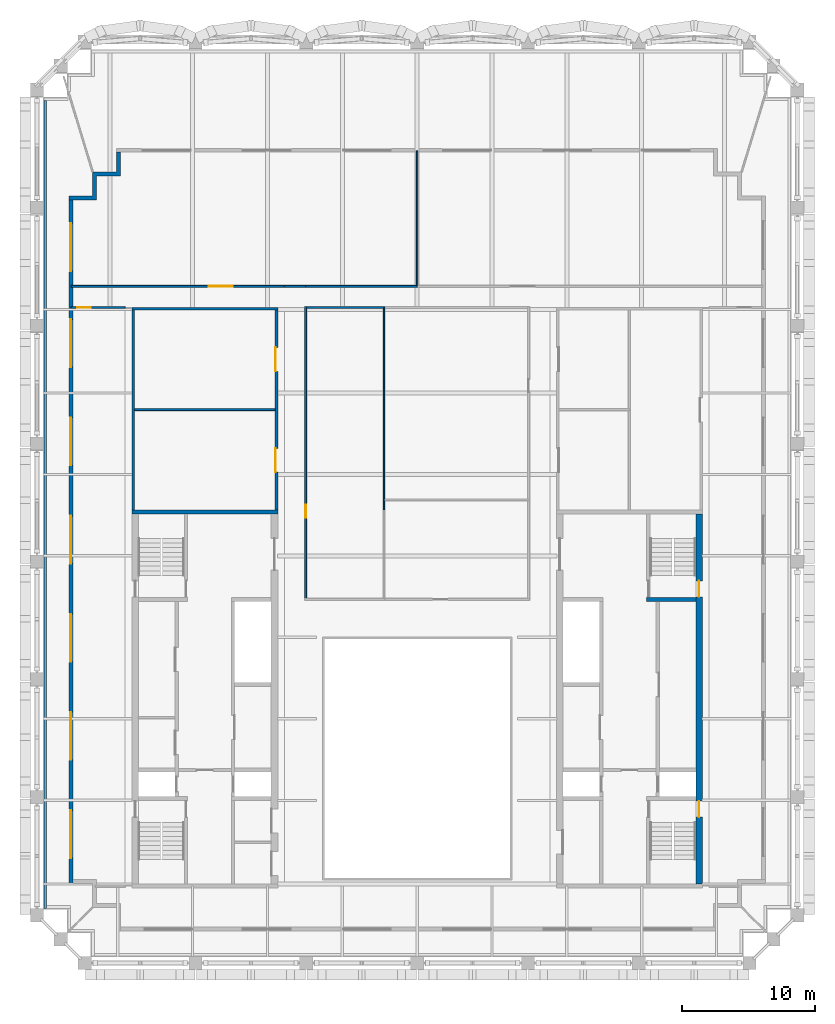
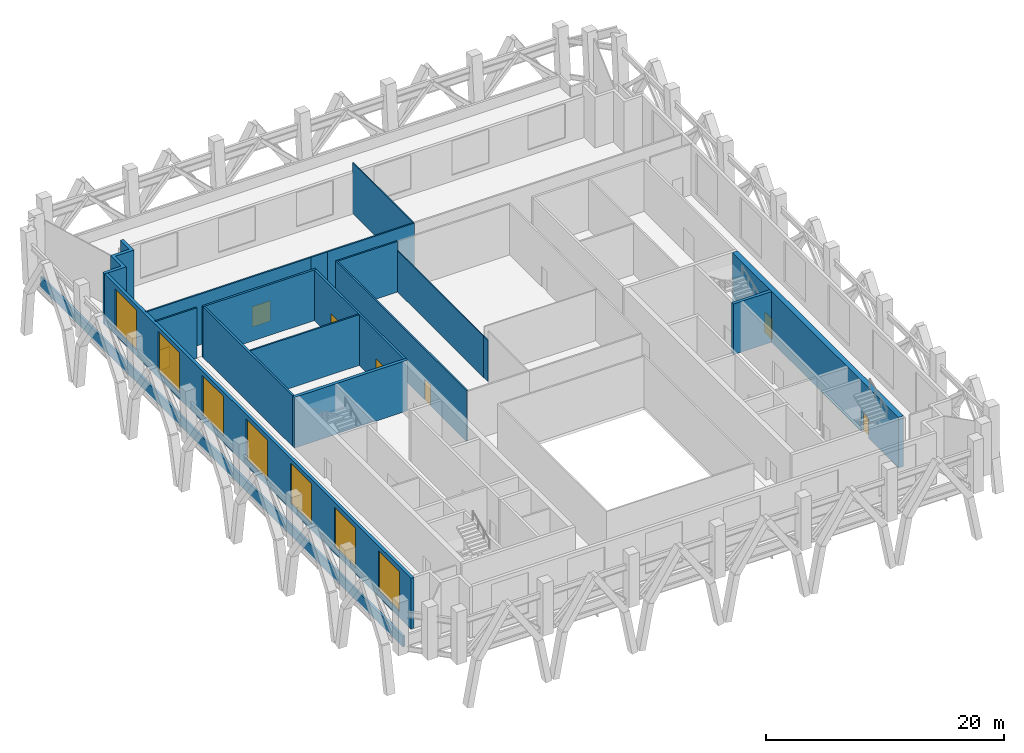
# One storey, part 6 of 13: 19 walls, 7 doors, 7 windows, 14 openings.
"""IFC4 building model written with IfcOpenShell, lengths in metres."""

from ifc_helpers import new_model, si_unit, direction, frame, frame_2d, origin, place, context, subcontext, project, spatial, polyline, rectangle, outline, extrude, material, layer, layer_set, type_object, element, fill, save


model = new_model("IFC4")

# Units and contexts
model_context = context("Model", 3, precision=1e-05, world=origin(), true_north=direction((0.0, 1.0)))
body_context = subcontext(model_context, "Body", "Model", "MODEL_VIEW")
ifc_project = project(units=[si_unit("LENGTHUNIT", "METRE"), si_unit("AREAUNIT", "SQUARE_METRE"), si_unit("VOLUMEUNIT", "CUBIC_METRE"), si_unit("PLANEANGLEUNIT", "RADIAN"), si_unit("MASSUNIT", "GRAM", prefix="KILO")], contexts=[model_context])

# Site, building, storey
site_placement = place(None, origin())
site = spatial("IfcSite", under=ifc_project, at=site_placement, CompositionType="ELEMENT")
building_placement = place(site_placement, origin())
building = spatial("IfcBuilding", under=site, at=building_placement, Name="Ogive Exchange Tower", CompositionType="ELEMENT")
storey_placement = place(building_placement, frame((0.0, 0.0, 363.60009765625)))
storey = spatial("IfcBuildingStorey", under=building, at=storey_placement, Name="L80", CompositionType="ELEMENT", Elevation=363.60009765625)

# Wall
ifc_material_1 = material(Name="Gypsum board partition")
ifc_layer_1 = layer(ifc_material_1, 0.14990234375)
ifc_layer_set_1 = layer_set([ifc_layer_1], Name="Core room partition 150 gypsum")
wall_type_1 = type_object("IfcWallType", Name="Core room partition 150 gypsum", PredefinedType="PARTITIONING", material=ifc_layer_set_1)
wall_1_placement = place(storey_placement, frame((-21.300048828125, 33.300048828125, 0.0), z_axis=(0.0, 0.0, 1.0), x_axis=(1.0, 0.0, 0.0)))
element("IfcWall", 1, at=wall_1_placement, inside=storey, type_object=wall_type_1, Name="W annex N cross wall", PredefinedType="PARTITIONING", context=body_context, shape_type="SweptSolid", body=[
    extrude(rectangle(XDim=10.60009765625, YDim=0.14990234375, at=frame_2d((5.300048828125, 0.0))), origin(), (0.0, 0.0, 1.0), 5.199951171875),
])

# Wall, opening, door
ifc_material_2 = material(Name="Fire partition EI 60 150")
ifc_layer_2 = layer(ifc_material_2, 0.14990234375)
ifc_layer_set_2 = layer_set([ifc_layer_2], Name="Fire partition EI 60 150")
wall_type_2 = type_object("IfcWallType", Name="Fire partition EI 60 150", PredefinedType="PARTITIONING", material=ifc_layer_set_2)
wall_2_placement = place(storey_placement, frame((-26.050048828125, 42.60009765625, 0.0), z_axis=(0.0, 0.0, 1.0), x_axis=(1.0, 0.0, 0.0)))
wall_2 = element("IfcWall", 2, at=wall_2_placement, inside=storey, type_object=wall_type_2, Name="L80-PWL-001", PredefinedType="PARTITIONING", context=body_context, shape_type="SweptSolid", body=[
    extrude(rectangle(XDim=16.050048828125, YDim=0.14990234375, at=frame_2d((8.02490234375, 0.0))), origin(), (0.0, 0.0, 1.0), 5.199951171875),
])
opening_1_placement = place(wall_2_placement, frame((10.35009765625, 0.0, 0.0)))
opening_1 = element("IfcOpeningElement", 3, at=opening_1_placement, cuts=wall_2, Name="Opening L80-I02", PredefinedType="OPENING", context=body_context, shape_type="SweptSolid", body=[
    extrude(rectangle(XDim=1.800048828125, YDim=2.10009765625, at=frame_2d((0.89990234375, 1.050048828125))), frame((0.0, 0.0849609375, 0.0), z_axis=(0.0, -1.0, 0.0), x_axis=(1.0, 0.0, 0.0)), (0.0, 0.0, 1.0), 0.169921875),
])
ifc_material_3 = material(Name="Fire door FD 30S 1800 x 2100")
door_type_1 = type_object("IfcDoorType", Name="Fire door FD 30S 1800 x 2100", OperationType="DOUBLE_DOOR_SINGLE_SWING", PredefinedType="DOOR", material=ifc_material_3)
door_1_placement = place(opening_1_placement, origin())
door_1 = element("IfcDoor", 4, at=door_1_placement, inside=storey, type_object=door_type_1, Name="L80-IDR-002", ObjectType="DT4", OperationType="SINGLE_SWING_RIGHT", OverallHeight=2.10009765625, OverallWidth=1.800048828125, PredefinedType="DOOR", context=body_context, shape_type="SweptSolid", body=[
    extrude(rectangle(XDim=1.800048828125, YDim=2.10009765625, at=frame_2d((0.89990234375, 1.050048828125))), frame((0.0, 0.02490234375, 0.0), z_axis=(0.0, -1.0, 0.0), x_axis=(1.0, 0.0, 0.0)), (0.0, 0.0, 1.0), 0.050048828125),
])
fill(opening_1, door_1)

wall_3_placement = place(storey_placement, frame((-22.0, 41.0, 0.0), z_axis=(0.0, 0.0, 1.0), x_axis=(-1.0, 0.0, 0.0)))
wall_3 = element("IfcWall", 5, at=wall_3_placement, inside=storey, type_object=wall_type_2, Name="L80-PWL-003", PredefinedType="PARTITIONING", context=body_context, shape_type="SweptSolid", body=[
    extrude(rectangle(XDim=4.050048828125, YDim=0.14990234375, at=frame_2d((2.02490234375, 0.0))), origin(), (0.0, 0.0, 1.0), 5.199951171875),
])
opening_2_placement = place(wall_3_placement, frame((2.60009765625, 0.0, 0.0)))
opening_2 = element("IfcOpeningElement", 6, at=opening_2_placement, cuts=wall_3, Name="Opening L80-I06", PredefinedType="OPENING", context=body_context, shape_type="SweptSolid", body=[
    extrude(rectangle(XDim=1.0, YDim=2.10009765625, at=frame_2d((0.5, 1.050048828125))), frame((0.0, 0.0849609375, 0.0), z_axis=(0.0, -1.0, 0.0), x_axis=(1.0, 0.0, 0.0)), (0.0, 0.0, 1.0), 0.169921875),
])
ifc_material_4 = material(Name="Fire door FD 30S 1000 x 2100")
door_type_2 = type_object("IfcDoorType", Name="Fire door FD 30S 1000 x 2100", OperationType="NOTDEFINED", PredefinedType="DOOR", material=ifc_material_4)
door_2_placement = place(opening_2_placement, origin())
door_2 = element("IfcDoor", 7, at=door_2_placement, inside=storey, type_object=door_type_2, Name="L80-IDR-006", ObjectType="DT3", OperationType="SINGLE_SWING_LEFT", OverallHeight=2.10009765625, OverallWidth=1.0, PredefinedType="DOOR", context=body_context, shape_type="SweptSolid", body=[
    extrude(rectangle(XDim=1.0, YDim=2.10009765625, at=frame_2d((0.5, 1.050048828125))), frame((0.0, 0.02490234375, 0.0), z_axis=(0.0, -1.0, 0.0), x_axis=(1.0, 0.0, 0.0)), (0.0, 0.0, 1.0), 0.050048828125),
])
fill(opening_2, door_2)

# Wall
wall_4_placement = place(storey_placement, frame((-10.0, 42.60009765625, 0.0), z_axis=(0.0, 0.0, 1.0), x_axis=(1.0, 0.0, 0.0)))
element("IfcWall", 8, at=wall_4_placement, inside=storey, type_object=wall_type_2, Name="L80-PWL-004", PredefinedType="PARTITIONING", context=body_context, shape_type="SweptSolid", body=[
    extrude(rectangle(XDim=1.60009765625, YDim=0.14990234375, at=frame_2d((0.800048828125, 0.0))), origin(), (0.0, 0.0, 1.0), 5.199951171875),
])

# Wall, opening, door
wall_5_placement = place(storey_placement, frame((-8.39990234375, 41.074951171875, 0.0), z_axis=(0.0, 0.0, 1.0), x_axis=(0.0, -1.0, 0.0)))
wall_5 = element("IfcWall", 9, at=wall_5_placement, inside=storey, type_object=wall_type_2, Name="L80-PWL-006", PredefinedType="PARTITIONING", context=body_context, shape_type="SweptSolid", body=[
    extrude(rectangle(XDim=22.0, YDim=0.14990234375, at=frame_2d((11.0, 0.0))), origin(), (0.0, 0.0, 1.0), 5.199951171875),
])
opening_3_placement = place(wall_5_placement, frame((14.925048828125, 0.0, 0.0)))
opening_3 = element("IfcOpeningElement", 10, at=opening_3_placement, cuts=wall_5, Name="Opening L80-I05", PredefinedType="OPENING", context=body_context, shape_type="SweptSolid", body=[
    extrude(rectangle(XDim=1.0, YDim=2.10009765625, at=frame_2d((0.5, 1.050048828125))), frame((0.0, 0.0849609375, 0.0), z_axis=(0.0, -1.0, 0.0), x_axis=(1.0, 0.0, 0.0)), (0.0, 0.0, 1.0), 0.169921875),
])
door_3_placement = place(opening_3_placement, origin())
door_3 = element("IfcDoor", 11, at=door_3_placement, inside=storey, type_object=door_type_2, Name="L80-IDR-005", ObjectType="DT3", OperationType="SINGLE_SWING_LEFT", OverallHeight=2.10009765625, OverallWidth=1.0, PredefinedType="DOOR", context=body_context, shape_type="SweptSolid", body=[
    extrude(rectangle(XDim=1.0, YDim=2.10009765625, at=frame_2d((0.5, 1.050048828125))), frame((0.0, 0.02490234375, 0.0), z_axis=(0.0, -1.0, 0.0), x_axis=(1.0, 0.0, 0.0)), (0.0, 0.0, 1.0), 0.050048828125),
])
fill(opening_3, door_3)

# Walls
wall_6_placement = place(storey_placement, frame((-8.39990234375, 42.60009765625, 0.0), z_axis=(0.0, 0.0, 1.0), x_axis=(1.0, 0.0, 0.0)))
element("IfcWall", 12, at=wall_6_placement, inside=storey, type_object=wall_type_2, Name="L80-PWL-007", PredefinedType="PARTITIONING", context=body_context, shape_type="SweptSolid", body=[
    extrude(rectangle(XDim=8.39990234375, YDim=0.14990234375, at=frame_2d((4.199951171875, 0.0))), origin(), (0.0, 0.0, 1.0), 5.199951171875),
])
wall_7_placement = place(storey_placement, frame((-2.550048828125, 41.0, 0.0), z_axis=(0.0, 0.0, 1.0), x_axis=(-1.0, 0.0, 0.0)))
element("IfcWall", 13, at=wall_7_placement, inside=storey, type_object=wall_type_2, Name="L80-PWL-012", PredefinedType="PARTITIONING", context=body_context, shape_type="SweptSolid", body=[
    extrude(rectangle(XDim=5.77490234375, YDim=0.14990234375, at=frame_2d((2.887451171875, 0.0))), origin(), (0.0, 0.0, 1.0), 5.199951171875),
])

# Wall, openings, windows
ifc_material_5 = material(Name="Precast concrete C40/50", Category="concrete")
ifc_layer_3 = layer(ifc_material_5, 0.300048828125)
ifc_layer_set_3 = layer_set([ifc_layer_3], Name="Limestone-faced wall 300")
wall_type_3 = type_object("IfcWallType", Name="Limestone-faced wall 300", PredefinedType="STANDARD", material=ifc_layer_set_3)
wall_8_placement = place(storey_placement, frame((-26.10009765625, 49.10009765625, 0.0), z_axis=(0.0, 0.0, 1.0), x_axis=(0.0, -1.0, 0.0)))
wall_8 = element("IfcWall", 14, at=wall_8_placement, inside=storey, type_object=wall_type_3, Name="External wall W4", PredefinedType="STANDARD", context=body_context, shape_type="SweptSolid", body=[
    extrude(rectangle(XDim=51.5, YDim=0.300048828125, at=frame_2d((25.75, 0.0))), origin(), (0.0, 0.0, 1.0), 5.199951171875),
])
opening_4_placement = place(wall_8_placement, frame((1.75, 0.0, 0.60009765625)))
opening_4 = element("IfcOpeningElement", 15, at=opening_4_placement, cuts=wall_8, Name="Opening LV1", PredefinedType="OPENING", context=body_context, shape_type="SweptSolid", body=[
    extrude(rectangle(XDim=3.60009765625, YDim=4.14990234375, at=frame_2d((1.800048828125, 2.074951171875))), frame((0.0, 0.159912109375, 0.0), z_axis=(0.0, -1.0, 0.0), x_axis=(1.0, 0.0, 0.0)), (0.0, 0.0, 1.0), 0.320068359375),
])
opening_5_placement = place(wall_8_placement, frame((9.0, 0.0, 0.60009765625)))
opening_5 = element("IfcOpeningElement", 16, at=opening_5_placement, cuts=wall_8, Name="Opening LV1", PredefinedType="OPENING", context=body_context, shape_type="SweptSolid", body=[
    extrude(rectangle(XDim=3.60009765625, YDim=4.14990234375, at=frame_2d((1.800048828125, 2.074951171875))), frame((0.0, 0.159912109375, 0.0), z_axis=(0.0, -1.0, 0.0), x_axis=(1.0, 0.0, 0.0)), (0.0, 0.0, 1.0), 0.320068359375),
])
opening_6_placement = place(wall_8_placement, frame((16.39990234375, 0.0, 0.60009765625)))
opening_6 = element("IfcOpeningElement", 17, at=opening_6_placement, cuts=wall_8, Name="Opening LV1", PredefinedType="OPENING", context=body_context, shape_type="SweptSolid", body=[
    extrude(rectangle(XDim=3.60009765625, YDim=4.14990234375, at=frame_2d((1.800048828125, 2.074951171875))), frame((0.0, 0.159912109375, 0.0), z_axis=(0.0, -1.0, 0.0), x_axis=(1.0, 0.0, 0.0)), (0.0, 0.0, 1.0), 0.320068359375),
])
opening_7_placement = place(wall_8_placement, frame((23.800048828125, 0.0, 0.60009765625)))
opening_7 = element("IfcOpeningElement", 18, at=opening_7_placement, cuts=wall_8, Name="Opening LV1", PredefinedType="OPENING", context=body_context, shape_type="SweptSolid", body=[
    extrude(rectangle(XDim=3.60009765625, YDim=4.14990234375, at=frame_2d((1.800048828125, 2.074951171875))), frame((0.0, 0.159912109375, 0.0), z_axis=(0.0, -1.0, 0.0), x_axis=(1.0, 0.0, 0.0)), (0.0, 0.0, 1.0), 0.320068359375),
])
opening_8_placement = place(wall_8_placement, frame((31.199951171875, 0.0, 0.60009765625)))
opening_8 = element("IfcOpeningElement", 19, at=opening_8_placement, cuts=wall_8, Name="Opening LV1", PredefinedType="OPENING", context=body_context, shape_type="SweptSolid", body=[
    extrude(rectangle(XDim=3.60009765625, YDim=4.14990234375, at=frame_2d((1.800048828125, 2.074951171875))), frame((0.0, 0.159912109375, 0.0), z_axis=(0.0, -1.0, 0.0), x_axis=(1.0, 0.0, 0.0)), (0.0, 0.0, 1.0), 0.320068359375),
])
opening_9_placement = place(wall_8_placement, frame((38.60009765625, 0.0, 0.60009765625)))
opening_9 = element("IfcOpeningElement", 20, at=opening_9_placement, cuts=wall_8, Name="Opening LV1I", PredefinedType="OPENING", context=body_context, shape_type="SweptSolid", body=[
    extrude(rectangle(XDim=3.60009765625, YDim=4.10009765625, at=frame_2d((1.800048828125, 2.050048828125))), frame((0.0, 0.159912109375, 0.0), z_axis=(0.0, -1.0, 0.0), x_axis=(1.0, 0.0, 0.0)), (0.0, 0.0, 1.0), 0.320068359375),
])
opening_10_placement = place(wall_8_placement, frame((46.0, 0.0, 0.60009765625)))
opening_10 = element("IfcOpeningElement", 21, at=opening_10_placement, cuts=wall_8, Name="Opening LV1I", PredefinedType="OPENING", context=body_context, shape_type="SweptSolid", body=[
    extrude(rectangle(XDim=3.60009765625, YDim=4.10009765625, at=frame_2d((1.800048828125, 2.050048828125))), frame((0.0, 0.159912109375, 0.0), z_axis=(0.0, -1.0, 0.0), x_axis=(1.0, 0.0, 0.0)), (0.0, 0.0, 1.0), 0.320068359375),
])
ifc_material_6 = material(Name="Anodised aluminium louvre", Category="aluminium")
window_type_1 = type_object("IfcWindowType", Name="Plant louvre 3600 x 4100", PartitioningType="DOUBLE_PANEL_HORIZONTAL", PredefinedType="WINDOW", material=ifc_material_6)
window_1_placement = place(opening_9_placement, origin())
window_1 = element("IfcWindow", 22, at=window_1_placement, inside=storey, type_object=window_type_1, Name="Louvre W05", OverallHeight=4.10009765625, OverallWidth=3.60009765625, PartitioningType="DOUBLE_PANEL_HORIZONTAL", PredefinedType="WINDOW", context=body_context, shape_type="SweptSolid", body=[
    extrude(rectangle(XDim=3.60009765625, YDim=4.10009765625, at=frame_2d((1.800048828125, 2.050048828125))), frame((0.0, 0.030029296875, 0.0), z_axis=(0.0, -1.0, 0.0), x_axis=(1.0, 0.0, 0.0)), (0.0, 0.0, 1.0), 0.06005859375),
])
fill(opening_9, window_1)
window_2_placement = place(opening_10_placement, origin())
window_2 = element("IfcWindow", 23, at=window_2_placement, inside=storey, type_object=window_type_1, Name="Louvre W06", OverallHeight=4.10009765625, OverallWidth=3.60009765625, PartitioningType="DOUBLE_PANEL_HORIZONTAL", PredefinedType="WINDOW", context=body_context, shape_type="SweptSolid", body=[
    extrude(rectangle(XDim=3.60009765625, YDim=4.10009765625, at=frame_2d((1.800048828125, 2.050048828125))), frame((0.0, 0.030029296875, 0.0), z_axis=(0.0, -1.0, 0.0), x_axis=(1.0, 0.0, 0.0)), (0.0, 0.0, 1.0), 0.06005859375),
])
fill(opening_10, window_2)
window_type_2 = type_object("IfcWindowType", Name="Plant louvre 3600 x 4150", PartitioningType="DOUBLE_PANEL_HORIZONTAL", PredefinedType="WINDOW", material=ifc_material_6)
window_3_placement = place(opening_4_placement, origin())
window_3 = element("IfcWindow", 24, at=window_3_placement, inside=storey, type_object=window_type_2, Name="Louvre W00", OverallHeight=4.14990234375, OverallWidth=3.60009765625, PartitioningType="DOUBLE_PANEL_HORIZONTAL", PredefinedType="WINDOW", context=body_context, shape_type="SweptSolid", body=[
    extrude(rectangle(XDim=3.60009765625, YDim=4.14990234375, at=frame_2d((1.800048828125, 2.074951171875))), frame((0.0, 0.030029296875, 0.0), z_axis=(0.0, -1.0, 0.0), x_axis=(1.0, 0.0, 0.0)), (0.0, 0.0, 1.0), 0.06005859375),
])
fill(opening_4, window_3)
window_4_placement = place(opening_5_placement, origin())
window_4 = element("IfcWindow", 25, at=window_4_placement, inside=storey, type_object=window_type_2, Name="Louvre W01", OverallHeight=4.14990234375, OverallWidth=3.60009765625, PartitioningType="DOUBLE_PANEL_HORIZONTAL", PredefinedType="WINDOW", context=body_context, shape_type="SweptSolid", body=[
    extrude(rectangle(XDim=3.60009765625, YDim=4.14990234375, at=frame_2d((1.800048828125, 2.074951171875))), frame((0.0, 0.030029296875, 0.0), z_axis=(0.0, -1.0, 0.0), x_axis=(1.0, 0.0, 0.0)), (0.0, 0.0, 1.0), 0.06005859375),
])
fill(opening_5, window_4)
window_5_placement = place(opening_6_placement, origin())
window_5 = element("IfcWindow", 26, at=window_5_placement, inside=storey, type_object=window_type_2, Name="Louvre W02", OverallHeight=4.14990234375, OverallWidth=3.60009765625, PartitioningType="DOUBLE_PANEL_HORIZONTAL", PredefinedType="WINDOW", context=body_context, shape_type="SweptSolid", body=[
    extrude(rectangle(XDim=3.60009765625, YDim=4.14990234375, at=frame_2d((1.800048828125, 2.074951171875))), frame((0.0, 0.030029296875, 0.0), z_axis=(0.0, -1.0, 0.0), x_axis=(1.0, 0.0, 0.0)), (0.0, 0.0, 1.0), 0.06005859375),
])
fill(opening_6, window_5)
window_6_placement = place(opening_7_placement, origin())
window_6 = element("IfcWindow", 27, at=window_6_placement, inside=storey, type_object=window_type_2, Name="Louvre W03", OverallHeight=4.14990234375, OverallWidth=3.60009765625, PartitioningType="DOUBLE_PANEL_HORIZONTAL", PredefinedType="WINDOW", context=body_context, shape_type="SweptSolid", body=[
    extrude(rectangle(XDim=3.60009765625, YDim=4.14990234375, at=frame_2d((1.800048828125, 2.074951171875))), frame((0.0, 0.030029296875, 0.0), z_axis=(0.0, -1.0, 0.0), x_axis=(1.0, 0.0, 0.0)), (0.0, 0.0, 1.0), 0.06005859375),
])
fill(opening_7, window_6)
window_7_placement = place(opening_8_placement, origin())
window_7 = element("IfcWindow", 28, at=window_7_placement, inside=storey, type_object=window_type_2, Name="Louvre W04", OverallHeight=4.14990234375, OverallWidth=3.60009765625, PartitioningType="DOUBLE_PANEL_HORIZONTAL", PredefinedType="WINDOW", context=body_context, shape_type="SweptSolid", body=[
    extrude(rectangle(XDim=3.60009765625, YDim=4.14990234375, at=frame_2d((1.800048828125, 2.074951171875))), frame((0.0, 0.030029296875, 0.0), z_axis=(0.0, -1.0, 0.0), x_axis=(1.0, 0.0, 0.0)), (0.0, 0.0, 1.0), 0.06005859375),
])
fill(opening_8, window_7)

# Walls
wall_9_placement = place(storey_placement, origin())
element("IfcWall", 29, at=wall_9_placement, inside=storey, type_object=wall_type_3, Name="External corner wall C3", PredefinedType="STANDARD", context=body_context, shape_type="SweptSolid", body=[
    extrude(outline(polyline([(-24.449951171875, 49.39990234375), (-24.449951171875, 51.199951171875), (-22.64990234375, 51.199951171875), (-22.64990234375, 52.699951171875), (-22.35009765625, 52.699951171875), (-22.35009765625, 50.89990234375), (-24.14990234375, 50.89990234375), (-24.14990234375, 49.10009765625), (-26.25, 49.10009765625), (-26.25, 49.39990234375), (-24.449951171875, 49.39990234375)])), origin(), (0.0, 0.0, 1.0), 5.199951171875),
])
ifc_material_7 = material(Name="Partition 100 gypsum")
ifc_layer_4 = layer(ifc_material_7, 0.10009765625)
ifc_layer_set_4 = layer_set([ifc_layer_4], Name="Partition 100 gypsum")
wall_type_4 = type_object("IfcWallType", Name="Partition 100 gypsum", PredefinedType="PARTITIONING", material=ifc_layer_set_4)
wall_10_placement = place(storey_placement, frame((-2.5, 26.449951171875, 0.0), z_axis=(0.0, 0.0, 1.0), x_axis=(0.0, 1.0, 0.0)))
element("IfcWall", 30, at=wall_10_placement, inside=storey, type_object=wall_type_4, Name="L80-PWL-010", PredefinedType="PARTITIONING", context=body_context, shape_type="SweptSolid", body=[
    extrude(rectangle(XDim=14.625, YDim=0.10009765625, at=frame_2d((7.3125, 0.0))), origin(), (0.0, 0.0, 1.0), 4.219970703125),
])
wall_11_placement = place(storey_placement, frame((0.0, 42.675048828125, 0.0), z_axis=(0.0, 0.0, 1.0), x_axis=(0.0, 1.0, 0.0)))
element("IfcWall", 31, at=wall_11_placement, inside=storey, type_object=wall_type_4, Name="L80-PWL-013", PredefinedType="PARTITIONING", context=body_context, shape_type="SweptSolid", body=[
    extrude(rectangle(XDim=10.125, YDim=0.10009765625, at=frame_2d((5.0625, 0.0))), origin(), (0.0, 0.0, 1.0), 5.199951171875),
])
wall_12_placement = place(storey_placement, frame((-2.5, 25.7451171875, 0.0), z_axis=(0.0, 0.0, 1.0), x_axis=(0.0, 1.0, 0.0)))
element("IfcWall", 32, at=wall_12_placement, inside=storey, type_object=wall_type_4, Name="L80-PWL-008", PredefinedType="PARTITIONING", context=body_context, shape_type="SweptSolid", body=[
    extrude(rectangle(XDim=0.704833984375, YDim=0.10009765625, at=frame_2d((0.3525390625, 0.0))), origin(), (0.0, 0.0, 1.0), 4.219970703125),
])
ifc_layer_5 = layer(ifc_material_5, 0.199951171875)
ifc_layer_set_5 = layer_set([ifc_layer_5], Name="Plant deck parapet 200")
wall_type_5 = type_object("IfcWallType", Name="Plant deck parapet 200", PredefinedType="STANDARD", material=ifc_layer_set_5)
wall_13_placement = place(storey_placement, frame((-28.030029296875, 56.589111328125, -0.050048828125), z_axis=(0.0, 0.0, 1.0), x_axis=(0.0, -1.0, 0.0)))
element("IfcWall", 33, at=wall_13_placement, inside=storey, type_object=wall_type_5, Name="Plant deck parapet 16", PredefinedType="STANDARD", context=body_context, shape_type="SweptSolid", body=[
    extrude(rectangle(XDim=60.869140625, YDim=0.199951171875, at=frame_2d((30.4345703125, 0.0))), origin(), (0.0, 0.0, 1.0), 1.099853515625),
])
ifc_material_8 = material(Name="Concrete C70/85", Category="concrete")
ifc_layer_6 = layer(ifc_material_8, 0.199951171875)
ifc_layer_set_6 = layer_set([ifc_layer_6], Name="RC core wall 200 C70/85")
wall_type_6 = type_object("IfcWallType", Name="RC core wall 200 C70/85", PredefinedType="SHEAR", material=ifc_layer_set_6)
wall_14_placement = place(storey_placement, frame((-21.39990234375, 25.75, 0.0), z_axis=(0.0, 0.0, 1.0), x_axis=(0.0, 1.0, 0.0)))
element("IfcWall", 34, at=wall_14_placement, inside=storey, type_object=wall_type_6, Name="W annex N outer wall", PredefinedType="SHEAR", context=body_context, shape_type="SweptSolid", body=[
    extrude(rectangle(XDim=15.050048828125, YDim=0.199951171875, at=frame_2d((7.52490234375, 0.0))), origin(), (0.0, 0.0, 1.0), 5.199951171875),
])

# Wall, openings, doors
wall_15_placement = place(storey_placement, frame((-10.60009765625, 25.75, 0.0), z_axis=(0.0, 0.0, 1.0), x_axis=(0.0, 1.0, 0.0)))
wall_15 = element("IfcWall", 35, at=wall_15_placement, inside=storey, type_object=wall_type_6, Name="W annex N inner wall", PredefinedType="SHEAR", context=body_context, shape_type="SweptSolid", body=[
    extrude(rectangle(XDim=15.050048828125, YDim=0.199951171875, at=frame_2d((7.52490234375, 0.0))), origin(), (0.0, 0.0, 1.0), 5.199951171875),
])
opening_11_placement = place(wall_15_placement, frame((2.83740234375, 0.0, 0.0)))
opening_11 = element("IfcOpeningElement", 36, at=opening_11_placement, cuts=wall_15, Name="Opening L80-C14", PredefinedType="OPENING", context=body_context, shape_type="SweptSolid", body=[
    extrude(rectangle(XDim=1.800048828125, YDim=2.39990234375, at=frame_2d((0.89990234375, 1.199951171875))), frame((0.0, 0.10986328125, 0.0), z_axis=(0.0, -1.0, 0.0), x_axis=(1.0, 0.0, 0.0)), (0.0, 0.0, 1.0), 0.219970703125),
])
opening_12_placement = place(wall_15_placement, frame((10.4375, 0.0, 0.0)))
opening_12 = element("IfcOpeningElement", 37, at=opening_12_placement, cuts=wall_15, Name="Opening L80-C15", PredefinedType="OPENING", context=body_context, shape_type="SweptSolid", body=[
    extrude(rectangle(XDim=1.800048828125, YDim=2.39990234375, at=frame_2d((0.89990234375, 1.199951171875))), frame((0.0, 0.10986328125, 0.0), z_axis=(0.0, -1.0, 0.0), x_axis=(1.0, 0.0, 0.0)), (0.0, 0.0, 1.0), 0.219970703125),
])
ifc_material_9 = material(Name="Steel fire door", Category="steel")
door_type_3 = type_object("IfcDoorType", Name="Plant room door FD60 1800 x 2400", OperationType="DOUBLE_DOOR_SINGLE_SWING", PredefinedType="DOOR", material=ifc_material_9)
door_4_placement = place(opening_11_placement, frame((1.800048828125, 0.14990234375, 0.0), z_axis=(0.0, 0.0, 1.0), x_axis=(-1.0, 0.0, 0.0)))
door_4 = element("IfcDoor", 38, at=door_4_placement, inside=storey, type_object=door_type_3, Name="Plant room door", ObjectType="CD1", OperationType="DOUBLE_DOOR_SINGLE_SWING", OverallHeight=2.39990234375, OverallWidth=1.800048828125, PredefinedType="DOOR", context=body_context, shape_type="SweptSolid", body=[
    extrude(rectangle(XDim=1.800048828125, YDim=2.39990234375, at=frame_2d((0.89990234375, 1.199951171875))), frame((0.0, 0.10009765625, 0.0), z_axis=(0.0, -1.0, 0.0), x_axis=(1.0, 0.0, 0.0)), (0.0, 0.0, 1.0), 0.050048828125),
])
fill(opening_11, door_4)
door_5_placement = place(opening_12_placement, frame((1.800048828125, 0.14990234375, 0.0), z_axis=(0.0, 0.0, 1.0), x_axis=(-1.0, 0.0, 0.0)))
door_5 = element("IfcDoor", 39, at=door_5_placement, inside=storey, type_object=door_type_3, Name="Plant room door", ObjectType="CD1", OperationType="DOUBLE_DOOR_SINGLE_SWING", OverallHeight=2.39990234375, OverallWidth=1.800048828125, PredefinedType="DOOR", context=body_context, shape_type="SweptSolid", body=[
    extrude(rectangle(XDim=1.800048828125, YDim=2.39990234375, at=frame_2d((0.89990234375, 1.199951171875))), frame((0.0, 0.10009765625, 0.0), z_axis=(0.0, -1.0, 0.0), x_axis=(1.0, 0.0, 0.0)), (0.0, 0.0, 1.0), 0.050048828125),
])
fill(opening_12, door_5)

# Walls
wall_16_placement = place(storey_placement, frame((-21.5, 40.89990234375, 0.0), z_axis=(0.0, 0.0, 1.0), x_axis=(1.0, 0.0, 0.0)))
element("IfcWall", 40, at=wall_16_placement, inside=storey, type_object=wall_type_6, Name="W annex N end wall", PredefinedType="SHEAR", context=body_context, shape_type="SweptSolid", body=[
    extrude(rectangle(XDim=11.0, YDim=0.199951171875, at=frame_2d((5.5, 0.0))), origin(), (0.0, 0.0, 1.0), 5.199951171875),
])
ifc_layer_7 = layer(ifc_material_8, 0.300048828125)
ifc_layer_set_7 = layer_set([ifc_layer_7], Name="RC core wall 300 C70/85")
wall_type_7 = type_object("IfcWallType", Name="RC core wall 300 C70/85", PredefinedType="SHEAR", material=ifc_layer_set_7)
wall_17_placement = place(storey_placement, frame((-21.5, 25.60009765625, 0.0), z_axis=(0.0, 0.0, 1.0), x_axis=(1.0, 0.0, 0.0)))
element("IfcWall", 41, at=wall_17_placement, inside=storey, type_object=wall_type_7, Name="W north end wall", PredefinedType="SHEAR", context=body_context, shape_type="SweptSolid", body=[
    extrude(rectangle(XDim=11.0, YDim=0.300048828125, at=frame_2d((5.5, 0.0))), origin(), (0.0, 0.0, 1.0), 5.199951171875),
])
wall_18_placement = place(storey_placement, frame((17.300048828125, 19.0, 0.0), z_axis=(0.0, 0.0, 1.0), x_axis=(1.0, 0.0, 0.0)))
element("IfcWall", 42, at=wall_18_placement, inside=storey, type_object=wall_type_7, Name="E stair N south wall", PredefinedType="SHEAR", context=body_context, shape_type="SweptSolid", body=[
    extrude(rectangle(XDim=3.699951171875, YDim=0.300048828125, at=frame_2d((1.85009765625, 0.0))), origin(), (0.0, 0.0, 1.0), 5.199951171875),
])

# Wall, openings, doors
ifc_layer_8 = layer(ifc_material_8, 0.5)
ifc_layer_set_8 = layer_set([ifc_layer_8], Name="RC core wall 500 C70/85")
wall_type_8 = type_object("IfcWallType", Name="RC core wall 500 C70/85", PredefinedType="SHEAR", material=ifc_layer_set_8)
wall_19_placement = place(storey_placement, frame((21.25, -2.449951171875, 0.0), z_axis=(0.0, 0.0, 1.0), x_axis=(0.0, 1.0, 0.0)))
wall_19 = element("IfcWall", 43, at=wall_19_placement, inside=storey, type_object=wall_type_8, Name="E outer wall", PredefinedType="SHEAR", context=body_context, shape_type="SweptSolid", body=[
    extrude(rectangle(XDim=27.89990234375, YDim=0.5, at=frame_2d((13.949951171875, 0.0))), origin(), (0.0, 0.0, 1.0), 5.199951171875),
])
opening_13_placement = place(wall_19_placement, frame((5.050048828125, 0.0, 0.0)))
opening_13 = element("IfcOpeningElement", 44, at=opening_13_placement, cuts=wall_19, Name="Opening L80-C23", PredefinedType="OPENING", context=body_context, shape_type="SweptSolid", body=[
    extrude(rectangle(XDim=1.199951171875, YDim=2.10009765625, at=frame_2d((0.60009765625, 1.050048828125))), frame((0.0, 0.260009765625, 0.0), z_axis=(0.0, -1.0, 0.0), x_axis=(1.0, 0.0, 0.0)), (0.0, 0.0, 1.0), 0.52001953125),
])
opening_14_placement = place(wall_19_placement, frame((21.64990234375, 0.0, 0.0)))
opening_14 = element("IfcOpeningElement", 45, at=opening_14_placement, cuts=wall_19, Name="Opening L80-C25", PredefinedType="OPENING", context=body_context, shape_type="SweptSolid", body=[
    extrude(rectangle(XDim=1.199951171875, YDim=2.10009765625, at=frame_2d((0.60009765625, 1.050048828125))), frame((0.0, 0.260009765625, 0.0), z_axis=(0.0, -1.0, 0.0), x_axis=(1.0, 0.0, 0.0)), (0.0, 0.0, 1.0), 0.52001953125),
])
door_type_4 = type_object("IfcDoorType", Name="Stair door FD90 1200 x 2100", OperationType="NOTDEFINED", PredefinedType="DOOR", material=ifc_material_9)
door_6_placement = place(opening_13_placement, frame((1.199951171875, 0.0, 0.0), z_axis=(0.0, 0.0, 1.0), x_axis=(-1.0, 0.0, 0.0)))
door_6 = element("IfcDoor", 46, at=door_6_placement, inside=storey, type_object=door_type_4, Name="Stair door", ObjectType="CD5", OperationType="SINGLE_SWING_LEFT", OverallHeight=2.10009765625, OverallWidth=1.199951171875, PredefinedType="DOOR", context=body_context, shape_type="SweptSolid", body=[
    extrude(rectangle(XDim=1.199951171875, YDim=2.10009765625, at=frame_2d((0.60009765625, 1.050048828125))), frame((0.0, 0.02490234375, 0.0), z_axis=(0.0, -1.0, 0.0), x_axis=(1.0, 0.0, 0.0)), (0.0, 0.0, 1.0), 0.050048828125),
])
fill(opening_13, door_6)
door_7_placement = place(opening_14_placement, frame((1.199951171875, 0.0, 0.0), z_axis=(0.0, 0.0, 1.0), x_axis=(-1.0, 0.0, 0.0)))
door_7 = element("IfcDoor", 47, at=door_7_placement, inside=storey, type_object=door_type_4, Name="Stair door", ObjectType="CD5", OperationType="SINGLE_SWING_RIGHT", OverallHeight=2.10009765625, OverallWidth=1.199951171875, PredefinedType="DOOR", context=body_context, shape_type="SweptSolid", body=[
    extrude(rectangle(XDim=1.199951171875, YDim=2.10009765625, at=frame_2d((0.60009765625, 1.050048828125))), frame((0.0, 0.02490234375, 0.0), z_axis=(0.0, -1.0, 0.0), x_axis=(1.0, 0.0, 0.0)), (0.0, 0.0, 1.0), 0.050048828125),
])
fill(opening_14, door_7)

save(model, "model.ifc")
